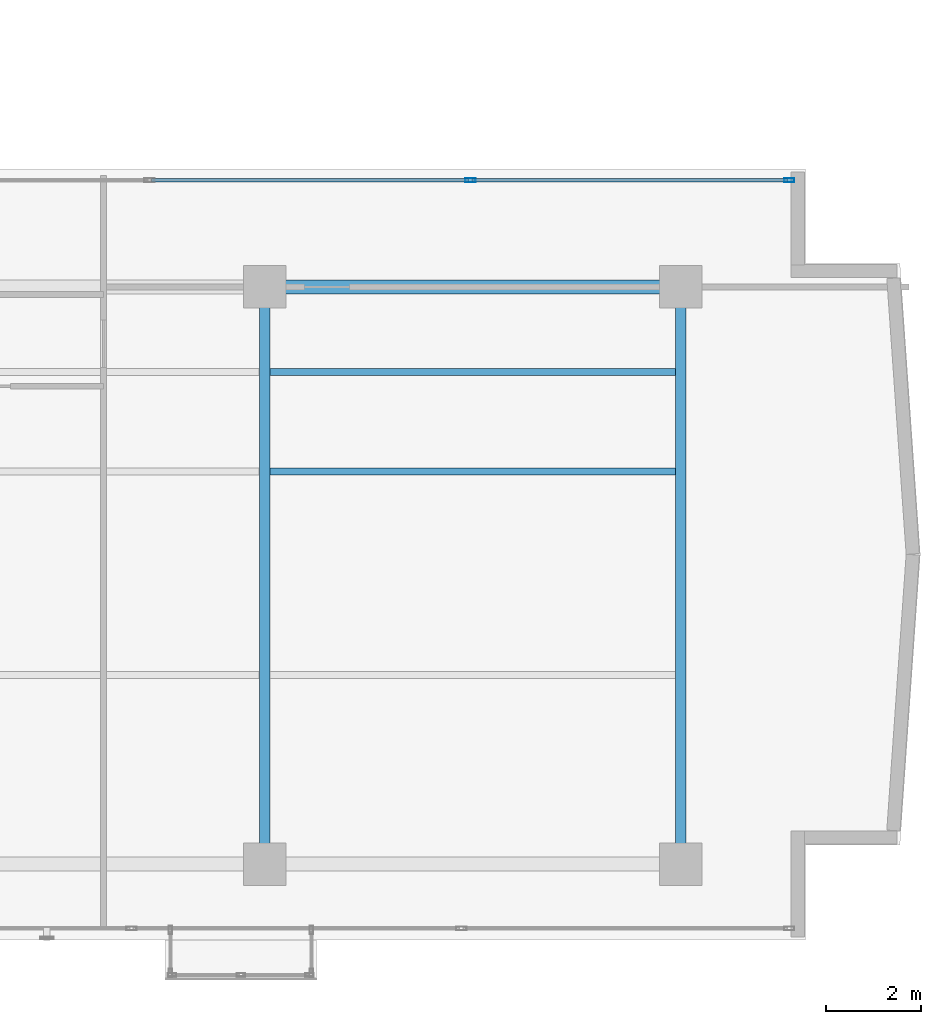
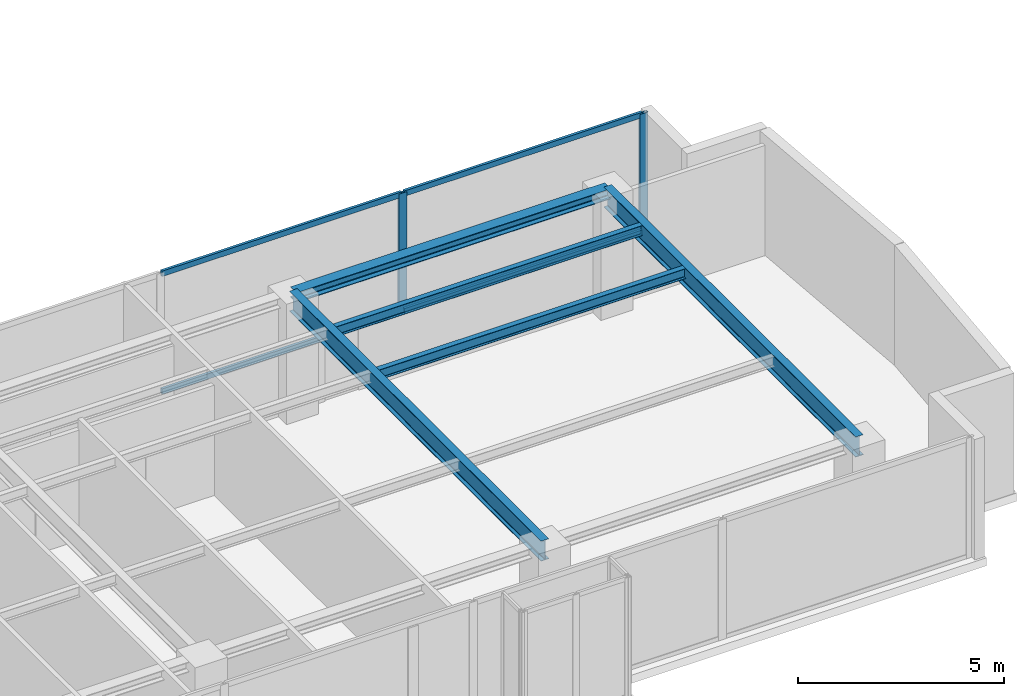
# One storey, part 12 of 24: 6 members, 5 beams, 1 element without a shape of its own.
"""IFC4 building model written with IfcOpenShell, lengths in metres."""

from ifc_helpers import new_model, si_unit, direction, frame, origin, origin_with_axes, origin_2d, place, context, subcontext, project, spatial, hollow_rectangle, i_section, extrude, source, transform, mapped, material, layer, layer_set, material_profile, profile_set, type_object, element, aggregate, save


model = new_model("IFC4")

# Units and contexts
model_context = context("Model", 3, precision=1e-05, world=origin(), true_north=direction((0.0, 1.0)))
body_context = subcontext(model_context, "Body", "Model", "MODEL_VIEW")
ifc_project = project(units=[si_unit("LENGTHUNIT", "METRE"), si_unit("AREAUNIT", "SQUARE_METRE"), si_unit("VOLUMEUNIT", "CUBIC_METRE"), si_unit("PLANEANGLEUNIT", "RADIAN"), si_unit("MASSUNIT", "GRAM", prefix="KILO")], contexts=[model_context])

# Site, building, storey
site_placement = place(None, origin())
site = spatial("IfcSite", under=ifc_project, at=site_placement, CompositionType="ELEMENT")
building_placement = place(site_placement, origin())
building = spatial("IfcBuilding", under=site, at=building_placement, Name="Kolvaren Waterfront Exchange", CompositionType="ELEMENT")
storey_placement = place(building_placement, frame((0.0, 0.0, 300.800048828125)))
storey = spatial("IfcBuildingStorey", under=building, at=storey_placement, Name="L77", CompositionType="ELEMENT", Elevation=300.800048828125)

# Beams
ifc_material_1 = material(Name="Steel S355", Category="steel")
ifc_material_profile_1 = material_profile(ifc_material_1, i_section(OverallWidth=0.300048828125, OverallDepth=0.300048828125, WebThickness=0.010986328125, FlangeThickness=0.01904296875, FilletRadius=0.027099609375, at=origin_2d()), Name="HEB300")
ifc_profile_set_1 = profile_set([ifc_material_profile_1], Name="Steel S355")
beam_type_1 = type_object("IfcBeamType", Name="STR-BM-HEB300", PredefinedType="SPANDREL", material=ifc_profile_set_1)
beam_placement = place(storey_placement, frame((36.800048828125, 17.39990234375, 3.409912109375), z_axis=(1.0, 0.0, 0.0), x_axis=(0.0, 1.0, 0.0)))
element("IfcBeam", 1, at=beam_placement, inside=storey, type_object=beam_type_1, Name="L77 east-arm spandrel N3", PredefinedType="SPANDREL", context=body_context, shape_type="SweptSolid", body=[
    extrude(i_section(OverallWidth=0.300048828125, OverallDepth=0.300048828125, WebThickness=0.010986328125, FlangeThickness=0.01904296875, FilletRadius=0.027099609375, at=origin_2d()), origin(), (0.0, 0.0, 1.0), 8.800048828125),
])
ifc_material_profile_2 = material_profile(ifc_material_1, i_section(OverallWidth=0.14990234375, OverallDepth=0.300048828125, WebThickness=0.007080078125, FlangeThickness=0.0107421875, FilletRadius=0.014892578125, at=origin_2d()), Name="IPE300")
ifc_profile_set_2 = profile_set([ifc_material_profile_2], Name="Steel S355")
beam_type_2 = type_object("IfcBeamType", Name="STR-BM-IPE300", PredefinedType="JOIST", material=ifc_profile_set_2)
for number, where, z_axis, x_axis, name in (
    (2, (36.912109375, 13.5, 3.409912109375), (1.0, 0.0, 0.0), (0.0, 1.0, 0.0), "L77 east-arm composite joist 3A"),
    (3, (36.912109375, 15.60009765625, 3.409912109375), (1.0, 0.0, 0.0), (0.0, 1.0, 0.0), "L77 east-arm composite joist 3C"),
):
    element("IfcBeam", number, at=place(storey_placement, frame(where, z_axis=z_axis, x_axis=x_axis)), inside=storey, type_object=beam_type_2, Name=name, PredefinedType="JOIST", context=body_context, shape_type="SweptSolid", body=[
        extrude(i_section(OverallWidth=0.14990234375, OverallDepth=0.300048828125, WebThickness=0.007080078125, FlangeThickness=0.0107421875, FilletRadius=0.014892578125, at=origin_2d()), origin(), (0.0, 0.0, 1.0), 8.575927734375),
    ])
ifc_material_profile_3 = material_profile(ifc_material_1, i_section(OverallWidth=0.219970703125, OverallDepth=0.60009765625, WebThickness=0.011962890625, FlangeThickness=0.01904296875, FilletRadius=0.02392578125, at=origin_2d()), Name="IPE600")
ifc_profile_set_3 = profile_set([ifc_material_profile_3], Name="Steel S355")
beam_type_3 = type_object("IfcBeamType", Name="STR-BM-IPE600", PredefinedType="BEAM", material=ifc_profile_set_3)
for number, where, z_axis, x_axis, name in (
    (4, (36.800048828125, 5.199951171875, 3.260009765625), (0.0, 1.0, 0.0), (-1.0, 0.0, 0.0), "L77 east-arm transverse girder X36"),
    (5, (45.60009765625, 5.199951171875, 3.260009765625), (0.0, 1.0, 0.0), (-1.0, 0.0, 0.0), "L77 east-arm transverse girder X45"),
):
    element("IfcBeam", number, at=place(storey_placement, frame(where, z_axis=z_axis, x_axis=x_axis)), inside=storey, type_object=beam_type_3, Name=name, PredefinedType="BEAM", context=body_context, shape_type="SweptSolid", body=[
        extrude(i_section(OverallWidth=0.219970703125, OverallDepth=0.60009765625, WebThickness=0.011962890625, FlangeThickness=0.01904296875, FilletRadius=0.02392578125, at=origin_2d()), origin(), (0.0, 0.0, 1.0), 12.199951171875),
    ])

# Curtain wall, members
ifc_material_2 = material(Name="Anodised bronze aluminium 6063-T6", Category="aluminium")
ifc_layer = layer(ifc_material_2, 0.219970703125, Name="Anodised bronze aluminium 6063-T6")
ifc_layer_set = layer_set([ifc_layer], Name="Anodised bronze aluminium 6063-T6")
curtain_wall_type = type_object("IfcCurtainWallType", Name="ARC-CW-SYS1", PredefinedType="USERDEFINED", material=ifc_layer_set)
curtain_wall_placement = place(storey_placement, origin())
curtain_wall = element("IfcCurtainWall", 6, at=curtain_wall_placement, inside=storey, type_object=curtain_wall_type, Name="L77 stick curtain wall CW1 (CW-L77-EN)", ObjectType="STICK CURTAIN WALL", PredefinedType="USERDEFINED")
ifc_material_3 = material(Name="Anodised aluminium 6063-T6", Category="aluminium")
ifc_material_profile_4 = material_profile(ifc_material_3, hollow_rectangle(XDim=0.080078125, YDim=0.219970703125, WallThickness=0.0048828125, at=origin_2d()), Name="ALU-MUL-220x80x5")
ifc_profile_set_4 = profile_set([ifc_material_profile_4], Name="Anodised aluminium 6063-T6")
member_type_1 = type_object("IfcMemberType", Name="ARC-CWM-220", PredefinedType="MULLION", material=ifc_profile_set_4)
shared_shape_1 = source(origin_with_axes(), body_context, "Body", "SweptSolid", [
    extrude(hollow_rectangle(XDim=0.080078125, YDim=0.219970703125, WallThickness=0.0048828125, at=origin_2d()), origin(), (0.0, 0.0, 1.0), 3.56005859375),
])
member_1_placement = place(storey_placement, frame((41.1494140625, 19.65478515625, 0.0), z_axis=(0.0, 0.0, 1.0), x_axis=(0.0, 1.0, 0.0)))
member_1 = element("IfcMember", 7, at=member_1_placement, type_object=member_type_1, Name="CW1 mullion 3", PredefinedType="MULLION", context=body_context, shape_type="MappedRepresentation", body=[
    mapped(shared_shape_1, transform((0.0, 0.0, 0.0), x_axis=(1.0, 0.0, 0.0), y_axis=(0.0, 1.0, 0.0), z_axis=(0.0, 0.0, 1.0), scale=1.0)),
])
member_2_placement = place(storey_placement, frame((47.8916015625, 19.65478515625, 0.0), z_axis=(0.0, 0.0, 1.0), x_axis=(0.0, 1.0, 0.0)))
member_2 = element("IfcMember", 8, at=member_2_placement, type_object=member_type_1, Name="CW1 mullion 4", PredefinedType="MULLION", context=body_context, shape_type="MappedRepresentation", body=[
    mapped(shared_shape_1, transform((0.0, 0.0, 0.0), x_axis=(1.0, 0.0, 0.0), y_axis=(0.0, 1.0, 0.0), z_axis=(0.0, 0.0, 1.0), scale=1.0)),
])
ifc_material_profile_5 = material_profile(ifc_material_3, hollow_rectangle(XDim=0.074951171875, YDim=0.159912109375, WallThickness=0.00439453125, at=origin_2d()), Name="ALU-TRN-160x75x4.5")
ifc_profile_set_5 = profile_set([ifc_material_profile_5], Name="Anodised aluminium 6063-T6")
member_type_2 = type_object("IfcMemberType", Name="ARC-CWT-160", PredefinedType="USERDEFINED", material=ifc_profile_set_5)
shared_shape_2 = source(origin_with_axes(), body_context, "Body", "SweptSolid", [
    extrude(hollow_rectangle(XDim=0.074951171875, YDim=0.159912109375, WallThickness=0.00439453125, at=origin_2d()), origin(), (0.0, 0.0, 1.0), 6.702392578125),
])
member_3_placement = place(storey_placement, frame((34.406982421875, 19.65478515625, 0.037353515625), z_axis=(1.0, 0.0, 0.0), x_axis=(0.0, 1.0, 0.0)))
member_3 = element("IfcMember", 9, at=member_3_placement, type_object=member_type_2, Name="CW1 transom 2.1", ObjectType="TRANSOM", PredefinedType="USERDEFINED", context=body_context, shape_type="MappedRepresentation", body=[
    mapped(shared_shape_2, transform((0.0, 0.0, 0.0), x_axis=(1.0, 0.0, 0.0), y_axis=(0.0, 1.0, 0.0), z_axis=(0.0, 0.0, 1.0), scale=1.0)),
])
member_4_placement = place(storey_placement, frame((34.406982421875, 19.65478515625, 3.5224609375), z_axis=(1.0, 0.0, 0.0), x_axis=(0.0, 1.0, 0.0)))
member_4 = element("IfcMember", 10, at=member_4_placement, type_object=member_type_2, Name="CW1 transom 2.2", ObjectType="TRANSOM", PredefinedType="USERDEFINED", context=body_context, shape_type="MappedRepresentation", body=[
    mapped(shared_shape_2, transform((0.0, 0.0, 0.0), x_axis=(1.0, 0.0, 0.0), y_axis=(0.0, 1.0, 0.0), z_axis=(0.0, 0.0, 1.0), scale=1.0)),
])
shared_shape_3 = source(origin_with_axes(), body_context, "Body", "SweptSolid", [
    extrude(hollow_rectangle(XDim=0.074951171875, YDim=0.159912109375, WallThickness=0.00439453125, at=origin_2d()), origin(), (0.0, 0.0, 1.0), 6.662353515625),
])
member_5_placement = place(storey_placement, frame((41.189208984375, 19.65478515625, 0.037353515625), z_axis=(1.0, 0.0, 0.0), x_axis=(0.0, 1.0, 0.0)))
member_5 = element("IfcMember", 11, at=member_5_placement, type_object=member_type_2, Name="CW1 transom 3.1", ObjectType="TRANSOM", PredefinedType="USERDEFINED", context=body_context, shape_type="MappedRepresentation", body=[
    mapped(shared_shape_3, transform((0.0, 0.0, 0.0), x_axis=(1.0, 0.0, 0.0), y_axis=(0.0, 1.0, 0.0), z_axis=(0.0, 0.0, 1.0), scale=1.0)),
])
member_6_placement = place(storey_placement, frame((41.189208984375, 19.65478515625, 3.5224609375), z_axis=(1.0, 0.0, 0.0), x_axis=(0.0, 1.0, 0.0)))
member_6 = element("IfcMember", 12, at=member_6_placement, type_object=member_type_2, Name="CW1 transom 3.2", ObjectType="TRANSOM", PredefinedType="USERDEFINED", context=body_context, shape_type="MappedRepresentation", body=[
    mapped(shared_shape_3, transform((0.0, 0.0, 0.0), x_axis=(1.0, 0.0, 0.0), y_axis=(0.0, 1.0, 0.0), z_axis=(0.0, 0.0, 1.0), scale=1.0)),
])
aggregate(curtain_wall, [member_1, member_2, member_3, member_4, member_5, member_6])

save(model, "model.ifc")
